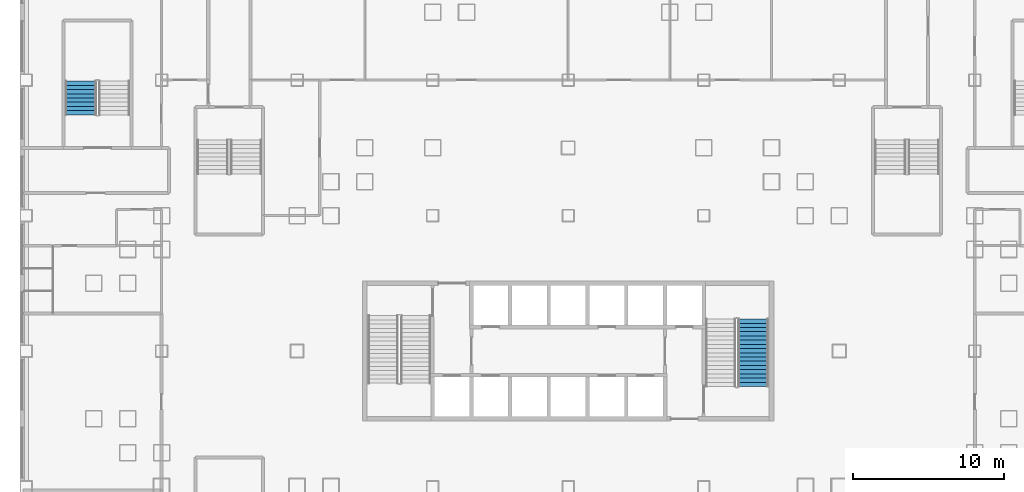
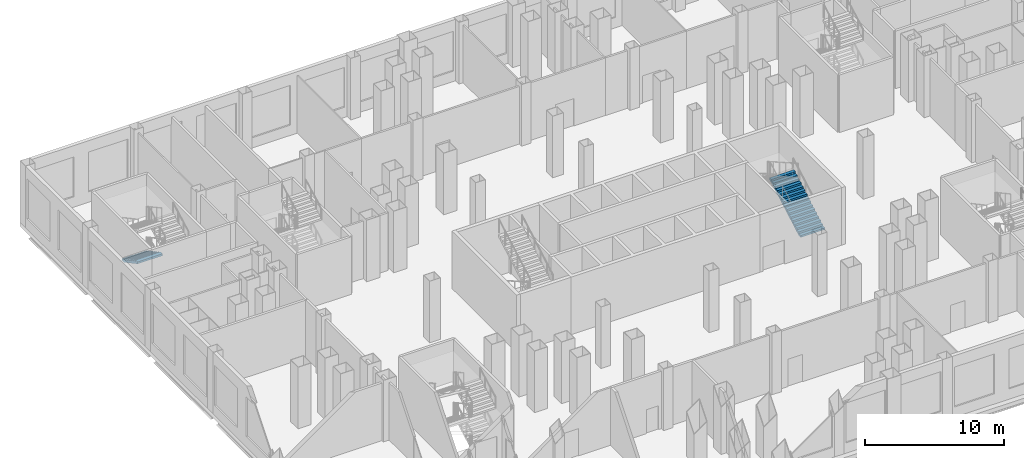
# One storey, part 14 of 26: 2 stair flights, 2 elements without a shape of their own.
"""IFC4 building model written with IfcOpenShell, lengths in metres."""

import ifcopenshell
import ifcopenshell.guid

model = None  # the IFC model being written
_history = None  # IfcOwnerHistory: only IFC2X3 demands one
_inside = {}  # id of a spatial element -> (the spatial element, [elements in it])
_under = {}  # id of a project, library or spatial element -> (it, [spatial elements below it])
_declared = {}  # id of a project -> (the project, [libraries it declares])
_typed = {}  # id of a type object -> (the type object, [elements of that type])
_made_of = {}  # id of a material, layer set ... -> (it, [elements and type objects made of it])


def new_model(schema):
    """Start an empty IFC model of exactly this schema.

    Asked for "IFC4X3", IfcOpenShell would pick the latest addendum, in which some entities
    have other attributes; the version numbers below select the first issue.
    IFC2X3 requires an IfcOwnerHistory on every rooted entity: one is made here for all.
    """
    global model, _history
    if schema == "IFC4X3":
        model = ifcopenshell.file(schema_version=(4, 3, 0, 0))
    else:
        model = ifcopenshell.file(schema=schema)
    _inside.clear()
    _under.clear()
    _declared.clear()
    _typed.clear()
    _made_of.clear()
    _history = None
    if model.schema == "IFC2X3":
        org = make("IfcOrganization", Name="unknown")
        user = make(
            "IfcPersonAndOrganization",
            ThePerson=make("IfcPerson", FamilyName="unknown"),
            TheOrganization=org,
        )
        app = make(
            "IfcApplication",
            ApplicationDeveloper=org,
            Version="unknown",
            ApplicationFullName="unknown",
            ApplicationIdentifier="unknown",
        )
        _history = make(
            "IfcOwnerHistory",
            OwningUser=user,
            OwningApplication=app,
            ChangeAction="ADDED",
            CreationDate=0,
        )
    return model


def make(cls, **values):
    """One entity of the class cls with the attributes given. An attribute that is None is left unset."""
    return model.create_entity(
        cls, **{name: value for name, value in values.items() if value is not None}
    )


def rooted(cls, **values):
    """An entity with a GlobalId (a new one), such as an element, a storey or a relation."""
    return make(cls, GlobalId=ifcopenshell.guid.new(), OwnerHistory=_history, **values)


def si_unit(unit_type, name, prefix=None):
    """IfcSIUnit, for example si_unit("LENGTHUNIT", "METRE", prefix="MILLI")."""
    return make("IfcSIUnit", UnitType=unit_type, Prefix=prefix, Name=name)


def assignment(units):
    """IfcUnitAssignment: the units of a project."""
    return None if units is None else make("IfcUnitAssignment", Units=units)


def point(xyz):
    """IfcCartesianPoint."""
    return None if xyz is None else make("IfcCartesianPoint", Coordinates=xyz)


def direction(xyz):
    """IfcDirection."""
    return None if xyz is None else make("IfcDirection", DirectionRatios=xyz)


def frame(location, z_axis=None, x_axis=None):
    """IfcAxis2Placement3D, a coordinate frame: its origin and axes. An axis left out is left unset."""
    return make(
        "IfcAxis2Placement3D",
        Location=point(location),
        Axis=direction(z_axis),
        RefDirection=direction(x_axis),
    )


def origin():
    """The frame at (0, 0, 0) with its axes left unset."""
    return frame((0.0, 0.0, 0.0))


def place(relative_to, where):
    """IfcLocalPlacement: puts the frame where relative to a parent placement (None: the world)."""
    return make(
        "IfcLocalPlacement", PlacementRelTo=relative_to, RelativePlacement=where
    )


def context(
    kind, dimensions, precision=None, world=None, true_north=None, identifier=None
):
    """IfcGeometricRepresentationContext, for example the 3D "Model" context."""
    return make(
        "IfcGeometricRepresentationContext",
        ContextIdentifier=identifier,
        ContextType=kind,
        CoordinateSpaceDimension=dimensions,
        Precision=precision,
        WorldCoordinateSystem=world,
        TrueNorth=true_north,
    )


def subcontext(parent, identifier, kind, view, scale=None):
    """IfcGeometricRepresentationSubContext, for example "Body" below "Model"."""
    return make(
        "IfcGeometricRepresentationSubContext",
        ContextIdentifier=identifier,
        ContextType=kind,
        ParentContext=parent,
        TargetScale=scale,
        TargetView=view,
    )


def project(units=None, contexts=None):
    """IfcProject with its units and contexts."""
    return rooted(
        "IfcProject",
        Name="project",
        RepresentationContexts=contexts,
        UnitsInContext=assignment(units),
    )


def spatial(cls, under=None, at=None, **own):
    """A site, building, storey or space (cls), placed at a placement, below another one or the project."""
    s = rooted(cls, ObjectPlacement=at, **own)
    if under is not None:
        _under.setdefault(under.id(), (under, []))[1].append(s)
    return s


def point_list(points):
    """IfcCartesianPointList2D or 3D."""
    cls = (
        "IfcCartesianPointList2D" if len(points[0]) == 2 else "IfcCartesianPointList3D"
    )
    return make(cls, CoordList=points)


def polygons(points, faces, closed=None, point_numbers=None):
    """IfcPolygonalFaceSet: a face is its outer loop, then its inner loops; points numbered from 1."""
    made = []
    for loops in faces:
        if len(loops) == 1:
            made.append(make("IfcIndexedPolygonalFace", CoordIndex=loops[0]))
        else:
            made.append(
                make(
                    "IfcIndexedPolygonalFaceWithVoids",
                    CoordIndex=loops[0],
                    InnerCoordIndices=loops[1:],
                )
            )
    return make(
        "IfcPolygonalFaceSet",
        Coordinates=point_list(points),
        Closed=closed,
        Faces=made,
        PnIndex=point_numbers,
    )


def shape(context_of_items, identifier, shape_type, items):
    """IfcShapeRepresentation: the items that make up one representation, for example the "Body"."""
    return make(
        "IfcShapeRepresentation",
        ContextOfItems=context_of_items,
        RepresentationIdentifier=identifier,
        RepresentationType=shape_type,
        Items=items,
    )


def material(Name=None, Category=None):
    """IfcMaterial."""
    return make("IfcMaterial", Name=Name, Category=Category)


def made_of(thing, what):
    """Note that an element or type object is made of a material, layer set ...; save() writes the relation."""
    if what is not None:
        _made_of.setdefault(what.id(), (what, []))[1].append(thing)
    return thing


def type_object(cls, material=None, **own):
    """A type object (cls), such as IfcWallType, which elements share."""
    return made_of(rooted(cls, **own), material)


def element(
    cls,
    number,
    at=None,
    inside=None,
    cuts=None,
    type_object=None,
    material=None,
    context=None,
    identifier="Body",
    shape_type=None,
    held_by="IfcProductDefinitionShape",
    body=None,
    shapes=None,
    **own,
):
    """One element of the class cls, such as IfcWall. Its Tag is "e" and its number.

    at: its placement. inside: the storey or other place that contains it. cuts: it is an
    opening in that element (IfcRelVoidsElement). A single representation is given by context,
    identifier, shape_type and body (its items); several are given by shapes. held_by: the class
    of the entity that holds the representations. save() writes the other relations.
    """
    e = rooted(cls, Tag="e%d" % number, ObjectPlacement=at, **own)
    if body is not None:
        shapes = [shape(context, identifier, shape_type, body)]
    if shapes is not None:
        e.Representation = make(held_by, Representations=shapes)
    if inside is not None:
        _inside.setdefault(inside.id(), (inside, []))[1].append(e)
    if cuts is not None:
        rooted(
            "IfcRelVoidsElement", RelatingBuildingElement=cuts, RelatedOpeningElement=e
        )
    if type_object is not None:
        _typed.setdefault(type_object.id(), (type_object, []))[1].append(e)
    return made_of(e, material)


def aggregate(whole, parts):
    """IfcRelAggregates: a whole, such as a stair, and the parts it consists of."""
    return rooted("IfcRelAggregates", RelatingObject=whole, RelatedObjects=parts)


def save(model, path):
    """Write the relations noted so far, then the file.

    IfcRelAggregates (storeys below a building ...), IfcRelContainedInSpatialStructure (elements
    in a storey), IfcRelDefinesByType, IfcRelAssociatesMaterial and IfcRelDeclares: one each for
    every whole, place, type object, material and project.
    """
    for whole, parts in _under.values():
        aggregate(whole, parts)
    for where, things in _inside.values():
        rooted(
            "IfcRelContainedInSpatialStructure",
            RelatedElements=things,
            RelatingStructure=where,
        )
    for kind, things in _typed.values():
        rooted("IfcRelDefinesByType", RelatedObjects=things, RelatingType=kind)
    for what, things in _made_of.values():
        rooted("IfcRelAssociatesMaterial", RelatedObjects=things, RelatingMaterial=what)
    for by, libraries in _declared.values():
        rooted("IfcRelDeclares", RelatingContext=by, RelatedDefinitions=libraries)
    model.write(path)


model = new_model("IFC4")

# Units and contexts
model_context = context("Model", 3, precision=1e-05, world=origin(), true_north=direction((0.0, 1.0)))
body_context = subcontext(model_context, "Body", "Model", "MODEL_VIEW")
ifc_project = project(units=[si_unit("LENGTHUNIT", "METRE"), si_unit("AREAUNIT", "SQUARE_METRE"), si_unit("VOLUMEUNIT", "CUBIC_METRE"), si_unit("PLANEANGLEUNIT", "RADIAN"), si_unit("MASSUNIT", "GRAM", prefix="KILO")], contexts=[model_context])

# Site, building, storey
site_placement = place(None, origin())
site = spatial("IfcSite", under=ifc_project, at=site_placement, CompositionType="ELEMENT")
building_placement = place(site_placement, origin())
building = spatial("IfcBuilding", under=site, at=building_placement, Name="Caravel Reach Hotel and Residences", CompositionType="ELEMENT")
storey_placement = place(building_placement, frame((0.0, 0.0, 12.0)))
storey = spatial("IfcBuildingStorey", under=building, at=storey_placement, Name="L02", CompositionType="ELEMENT", Elevation=12.0)

# Stair, stair flight
ifc_material_1 = material(Name="Concrete C40", Category="concrete")
stair_type = type_object("IfcStairType", Name="Core stair", PredefinedType="HALF_TURN_STAIR", material=ifc_material_1)
stair_1_placement = place(storey_placement, origin())
stair_1 = element("IfcStair", 1, at=stair_1_placement, inside=storey, type_object=stair_type, Name="L02 Exit stair B", PredefinedType="HALF_TURN_STAIR")
ifc_material_2 = material(Name="Concrete C40", Category="concrete")
stair_flight_type = type_object("IfcStairFlightType", Name="Core stair flight", PredefinedType="STRAIGHT", material=ifc_material_2)
stair_flight_1_placement = place(storey_placement, frame((43.77490234375, 24.64990234375, 0.0), z_axis=(0.0, 0.0, 1.0), x_axis=(0.0, 1.0, 0.0)))
stair_flight_1 = element("IfcStairFlight", 2, at=stair_flight_1_placement, type_object=stair_flight_type, Name="ST-B flight 1", NumberOfRisers=17, NumberOfTreads=16, PredefinedType="STRAIGHT", RiserHeight=0.158823529, TreadLength=0.28, context=body_context, shape_type="Tessellation", body=[
    polygons([(0.30382651472380307, 1.0, 0.0), (0.30382651472380307, 0.6666666666666667, 0.0), (0.30382651472380307, 0.33333333333333337, 0.0), (0.30382651472380307, 0.0, 0.0), (0.30382651472380307, -0.33333333333333326, 0.0), (0.30382651472380307, -0.6666666666666667, 0.0), (0.30382651472380307, -1.0, 0.0), (4.481000000000001, 1.0, 2.3688378951706968), (4.481000000000001, 0.6666666666666667, 2.3688378951706968), (4.481000000000001, 0.33333333333333337, 2.3688378951706968), (4.481000000000001, 0.0, 2.3688378951706968), (4.481000000000001, -0.33333333333333326, 2.3688378951706968), (4.481000000000001, -0.6666666666666667, 2.3688378951706968), (4.481000000000001, -1.0, 2.3688378951706968), (4.481000000000001, 1.0, 2.541176464), (4.481000000000001, 0.6666666666666667, 2.541176464), (4.481000000000001, 0.33333333333333337, 2.541176464), (4.481000000000001, 0.0, 2.541176464), (4.481000000000001, -0.33333333333333326, 2.541176464), (4.481000000000001, -0.6666666666666667, 2.541176464), (4.481000000000001, -1.0, 2.541176464), (4.2, 1.0, 2.541176464), (4.2, 0.6666666666666667, 2.541176464), (4.2, 0.33333333333333337, 2.541176464), (4.2, 0.0, 2.541176464), (4.2, -0.33333333333333326, 2.541176464), (4.2, -0.6666666666666667, 2.541176464), (4.2, -1.0, 2.541176464), (4.2, 1.0, 2.3823529349999997), (4.2, 0.6666666666666667, 2.3823529349999997), (4.2, 0.33333333333333337, 2.3823529349999997), (4.2, 0.0, 2.3823529349999997), (4.2, -0.33333333333333326, 2.3823529349999997), (4.2, -0.6666666666666667, 2.3823529349999997), (4.2, -1.0, 2.3823529349999997), (3.9200000000000004, 1.0, 2.3823529349999997), (3.9200000000000004, 0.6666666666666667, 2.3823529349999997), (3.9200000000000004, 0.33333333333333337, 2.3823529349999997), (3.9200000000000004, 0.0, 2.3823529349999997), (3.9200000000000004, -0.33333333333333326, 2.3823529349999997), (3.9200000000000004, -0.6666666666666667, 2.3823529349999997), (3.9200000000000004, -1.0, 2.3823529349999997), (3.9200000000000004, 1.0, 2.223529406), (3.9200000000000004, 0.6666666666666667, 2.223529406), (3.9200000000000004, 0.33333333333333337, 2.223529406), (3.9200000000000004, 0.0, 2.223529406), (3.9200000000000004, -0.33333333333333326, 2.223529406), (3.9200000000000004, -0.6666666666666667, 2.223529406), (3.9200000000000004, -1.0, 2.223529406), (3.6400000000000006, 1.0, 2.223529406), (3.6400000000000006, 0.6666666666666667, 2.223529406), (3.6400000000000006, 0.33333333333333337, 2.223529406), (3.6400000000000006, 0.0, 2.223529406), (3.6400000000000006, -0.33333333333333326, 2.223529406), (3.6400000000000006, -0.6666666666666667, 2.223529406), (3.6400000000000006, -1.0, 2.223529406), (3.6400000000000006, 1.0, 2.0647058769999997), (3.6400000000000006, 0.6666666666666667, 2.0647058769999997), (3.6400000000000006, 0.33333333333333337, 2.0647058769999997), (3.6400000000000006, 0.0, 2.0647058769999997), (3.6400000000000006, -0.33333333333333326, 2.0647058769999997), (3.6400000000000006, -0.6666666666666667, 2.0647058769999997), (3.6400000000000006, -1.0, 2.0647058769999997), (3.3600000000000003, 1.0, 2.0647058769999997), (3.3600000000000003, 0.6666666666666667, 2.0647058769999997), (3.3600000000000003, 0.33333333333333337, 2.0647058769999997), (3.3600000000000003, 0.0, 2.0647058769999997), (3.3600000000000003, -0.33333333333333326, 2.0647058769999997), (3.3600000000000003, -0.6666666666666667, 2.0647058769999997), (3.3600000000000003, -1.0, 2.0647058769999997), (3.3600000000000003, 1.0, 1.905882348), (3.3600000000000003, 0.6666666666666667, 1.905882348), (3.3600000000000003, 0.33333333333333337, 1.905882348), (3.3600000000000003, 0.0, 1.905882348), (3.3600000000000003, -0.33333333333333326, 1.905882348), (3.3600000000000003, -0.6666666666666667, 1.905882348), (3.3600000000000003, -1.0, 1.905882348), (3.08, 1.0, 1.905882348), (3.08, 0.6666666666666667, 1.905882348), (3.08, 0.33333333333333337, 1.905882348), (3.08, 0.0, 1.905882348), (3.08, -0.33333333333333326, 1.905882348), (3.08, -0.6666666666666667, 1.905882348), (3.08, -1.0, 1.905882348), (3.08, 1.0, 1.7470588189999998), (3.08, 0.6666666666666667, 1.7470588189999998), (3.08, 0.33333333333333337, 1.7470588189999998), (3.08, 0.0, 1.7470588189999998), (3.08, -0.33333333333333326, 1.7470588189999998), (3.08, -0.6666666666666667, 1.7470588189999998), (3.08, -1.0, 1.7470588189999998), (2.8000000000000003, 1.0, 1.7470588189999998), (2.8000000000000003, 0.6666666666666667, 1.7470588189999998), (2.8000000000000003, 0.33333333333333337, 1.7470588189999998), (2.8000000000000003, 0.0, 1.7470588189999998), (2.8000000000000003, -0.33333333333333326, 1.7470588189999998), (2.8000000000000003, -0.6666666666666667, 1.7470588189999998), (2.8000000000000003, -1.0, 1.7470588189999998), (2.8000000000000003, 1.0, 1.5882352899999999), (2.8000000000000003, 0.6666666666666667, 1.5882352899999999), (2.8000000000000003, 0.33333333333333337, 1.5882352899999999), (2.8000000000000003, 0.0, 1.5882352899999999), (2.8000000000000003, -0.33333333333333326, 1.5882352899999999), (2.8000000000000003, -0.6666666666666667, 1.5882352899999999), (2.8000000000000003, -1.0, 1.5882352899999999), (2.5200000000000005, 1.0, 1.5882352899999999), (2.5200000000000005, 0.6666666666666667, 1.5882352899999999), (2.5200000000000005, 0.33333333333333337, 1.5882352899999999), (2.5200000000000005, 0.0, 1.5882352899999999), (2.5200000000000005, -0.33333333333333326, 1.5882352899999999), (2.5200000000000005, -0.6666666666666667, 1.5882352899999999), (2.5200000000000005, -1.0, 1.5882352899999999), (2.5200000000000005, 1.0, 1.429411761), (2.5200000000000005, 0.6666666666666667, 1.429411761), (2.5200000000000005, 0.33333333333333337, 1.429411761), (2.5200000000000005, 0.0, 1.429411761), (2.5200000000000005, -0.33333333333333326, 1.429411761), (2.5200000000000005, -0.6666666666666667, 1.429411761), (2.5200000000000005, -1.0, 1.429411761), (2.24, 1.0, 1.429411761), (2.24, 0.6666666666666667, 1.429411761), (2.24, 0.33333333333333337, 1.429411761), (2.24, 0.0, 1.429411761), (2.24, -0.33333333333333326, 1.429411761), (2.24, -0.6666666666666667, 1.429411761), (2.24, -1.0, 1.429411761), (2.24, 1.0, 1.270588232), (2.24, 0.6666666666666667, 1.270588232), (2.24, 0.33333333333333337, 1.270588232), (2.24, 0.0, 1.270588232), (2.24, -0.33333333333333326, 1.270588232), (2.24, -0.6666666666666667, 1.270588232), (2.24, -1.0, 1.270588232), (1.9600000000000002, 1.0, 1.270588232), (1.9600000000000002, 0.6666666666666667, 1.270588232), (1.9600000000000002, 0.33333333333333337, 1.270588232), (1.9600000000000002, 0.0, 1.270588232), (1.9600000000000002, -0.33333333333333326, 1.270588232), (1.9600000000000002, -0.6666666666666667, 1.270588232), (1.9600000000000002, -1.0, 1.270588232), (1.9600000000000002, 1.0, 1.111764703), (1.9600000000000002, 0.6666666666666667, 1.111764703), (1.9600000000000002, 0.33333333333333337, 1.111764703), (1.9600000000000002, 0.0, 1.111764703), (1.9600000000000002, -0.33333333333333326, 1.111764703), (1.9600000000000002, -0.6666666666666667, 1.111764703), (1.9600000000000002, -1.0, 1.111764703), (1.6800000000000002, 1.0, 1.111764703), (1.6800000000000002, 0.6666666666666667, 1.111764703), (1.6800000000000002, 0.33333333333333337, 1.111764703), (1.6800000000000002, 0.0, 1.111764703), (1.6800000000000002, -0.33333333333333326, 1.111764703), (1.6800000000000002, -0.6666666666666667, 1.111764703), (1.6800000000000002, -1.0, 1.111764703), (1.6800000000000002, 1.0, 0.952941174), (1.6800000000000002, 0.6666666666666667, 0.952941174), (1.6800000000000002, 0.33333333333333337, 0.952941174), (1.6800000000000002, 0.0, 0.952941174), (1.6800000000000002, -0.33333333333333326, 0.952941174), (1.6800000000000002, -0.6666666666666667, 0.952941174), (1.6800000000000002, -1.0, 0.952941174), (1.4000000000000001, 1.0, 0.952941174), (1.4000000000000001, 0.6666666666666667, 0.952941174), (1.4000000000000001, 0.33333333333333337, 0.952941174), (1.4000000000000001, 0.0, 0.952941174), (1.4000000000000001, -0.33333333333333326, 0.952941174), (1.4000000000000001, -0.6666666666666667, 0.952941174), (1.4000000000000001, -1.0, 0.952941174), (1.4000000000000001, 1.0, 0.7941176449999999), (1.4000000000000001, 0.6666666666666667, 0.7941176449999999), (1.4000000000000001, 0.33333333333333337, 0.7941176449999999), (1.4000000000000001, 0.0, 0.7941176449999999), (1.4000000000000001, -0.33333333333333326, 0.7941176449999999), (1.4000000000000001, -0.6666666666666667, 0.7941176449999999), (1.4000000000000001, -1.0, 0.7941176449999999), (1.12, 1.0, 0.7941176449999999), (1.12, 0.6666666666666667, 0.7941176449999999), (1.12, 0.33333333333333337, 0.7941176449999999), (1.12, 0.0, 0.7941176449999999), (1.12, -0.33333333333333326, 0.7941176449999999), (1.12, -0.6666666666666667, 0.7941176449999999), (1.12, -1.0, 0.7941176449999999), (1.12, 1.0, 0.635294116), (1.12, 0.6666666666666667, 0.635294116), (1.12, 0.33333333333333337, 0.635294116), (1.12, 0.0, 0.635294116), (1.12, -0.33333333333333326, 0.635294116), (1.12, -0.6666666666666667, 0.635294116), (1.12, -1.0, 0.635294116), (0.8400000000000001, 1.0, 0.635294116), (0.8400000000000001, 0.6666666666666667, 0.635294116), (0.8400000000000001, 0.33333333333333337, 0.635294116), (0.8400000000000001, 0.0, 0.635294116), (0.8400000000000001, -0.33333333333333326, 0.635294116), (0.8400000000000001, -0.6666666666666667, 0.635294116), (0.8400000000000001, -1.0, 0.635294116), (0.8400000000000001, 1.0, 0.476470587), (0.8400000000000001, 0.6666666666666667, 0.476470587), (0.8400000000000001, 0.33333333333333337, 0.476470587), (0.8400000000000001, 0.0, 0.476470587), (0.8400000000000001, -0.33333333333333326, 0.476470587), (0.8400000000000001, -0.6666666666666667, 0.476470587), (0.8400000000000001, -1.0, 0.476470587), (0.56, 1.0, 0.476470587), (0.56, 0.6666666666666667, 0.476470587), (0.56, 0.33333333333333337, 0.476470587), (0.56, 0.0, 0.476470587), (0.56, -0.33333333333333326, 0.476470587), (0.56, -0.6666666666666667, 0.476470587), (0.56, -1.0, 0.476470587), (0.56, 1.0, 0.317647058), (0.56, 0.6666666666666667, 0.317647058), (0.56, 0.33333333333333337, 0.317647058), (0.56, 0.0, 0.317647058), (0.56, -0.33333333333333326, 0.317647058), (0.56, -0.6666666666666667, 0.317647058), (0.56, -1.0, 0.317647058), (0.28, 1.0, 0.317647058), (0.28, 0.6666666666666667, 0.317647058), (0.28, 0.33333333333333337, 0.317647058), (0.28, 0.0, 0.317647058), (0.28, -0.33333333333333326, 0.317647058), (0.28, -0.6666666666666667, 0.317647058), (0.28, -1.0, 0.317647058), (0.28, 1.0, 0.158823529), (0.28, 0.6666666666666667, 0.158823529), (0.28, 0.33333333333333337, 0.158823529), (0.28, 0.0, 0.158823529), (0.28, -0.33333333333333326, 0.158823529), (0.28, -0.6666666666666667, 0.158823529), (0.28, -1.0, 0.158823529), (-0.001, 1.0, 0.158823529), (-0.001, 0.6666666666666667, 0.158823529), (-0.001, 0.33333333333333337, 0.158823529), (-0.001, 0.0, 0.158823529), (-0.001, -0.33333333333333326, 0.158823529), (-0.001, -0.6666666666666667, 0.158823529), (-0.001, -1.0, 0.158823529), (-0.001, 1.0, 0.0), (-0.001, 0.6666666666666667, 0.0), (-0.001, 0.33333333333333337, 0.0), (-0.001, 0.0, 0.0), (-0.001, -0.33333333333333326, 0.0), (-0.001, -0.6666666666666667, 0.0), (-0.001, -1.0, 0.0)], [[[239, 232, 225, 218, 211, 204, 197, 190, 183, 176, 169, 162, 155, 148, 141, 134, 127, 120, 113, 106, 99, 92, 85, 78, 71, 64, 57, 50, 43, 36, 29, 22, 15, 8, 1]], [[7, 14, 21, 28, 35, 42, 49, 56, 63, 70, 77, 84, 91, 98, 105, 112, 119, 126, 133, 140, 147, 154, 161, 168, 175, 182, 189, 196, 203, 210, 217, 224, 231, 238, 245]], [[1, 8, 9, 2]], [[2, 9, 10, 3]], [[3, 10, 11, 4]], [[4, 11, 12, 5]], [[5, 12, 13, 6]], [[6, 13, 14, 7]], [[8, 15, 16, 9]], [[9, 16, 17, 10]], [[10, 17, 18, 11]], [[11, 18, 19, 12]], [[12, 19, 20, 13]], [[13, 20, 21, 14]], [[15, 22, 23, 16]], [[16, 23, 24, 17]], [[17, 24, 25, 18]], [[18, 25, 26, 19]], [[19, 26, 27, 20]], [[20, 27, 28, 21]], [[22, 29, 30, 23]], [[23, 30, 31, 24]], [[24, 31, 32, 25]], [[25, 32, 33, 26]], [[26, 33, 34, 27]], [[27, 34, 35, 28]], [[29, 36, 37, 30]], [[30, 37, 38, 31]], [[31, 38, 39, 32]], [[32, 39, 40, 33]], [[33, 40, 41, 34]], [[34, 41, 42, 35]], [[36, 43, 44, 37]], [[37, 44, 45, 38]], [[38, 45, 46, 39]], [[39, 46, 47, 40]], [[40, 47, 48, 41]], [[41, 48, 49, 42]], [[43, 50, 51, 44]], [[44, 51, 52, 45]], [[45, 52, 53, 46]], [[46, 53, 54, 47]], [[47, 54, 55, 48]], [[48, 55, 56, 49]], [[50, 57, 58, 51]], [[51, 58, 59, 52]], [[52, 59, 60, 53]], [[53, 60, 61, 54]], [[54, 61, 62, 55]], [[55, 62, 63, 56]], [[57, 64, 65, 58]], [[58, 65, 66, 59]], [[59, 66, 67, 60]], [[60, 67, 68, 61]], [[61, 68, 69, 62]], [[62, 69, 70, 63]], [[64, 71, 72, 65]], [[65, 72, 73, 66]], [[66, 73, 74, 67]], [[67, 74, 75, 68]], [[68, 75, 76, 69]], [[69, 76, 77, 70]], [[71, 78, 79, 72]], [[72, 79, 80, 73]], [[73, 80, 81, 74]], [[74, 81, 82, 75]], [[75, 82, 83, 76]], [[76, 83, 84, 77]], [[78, 85, 86, 79]], [[79, 86, 87, 80]], [[80, 87, 88, 81]], [[81, 88, 89, 82]], [[82, 89, 90, 83]], [[83, 90, 91, 84]], [[85, 92, 93, 86]], [[86, 93, 94, 87]], [[87, 94, 95, 88]], [[88, 95, 96, 89]], [[89, 96, 97, 90]], [[90, 97, 98, 91]], [[92, 99, 100, 93]], [[93, 100, 101, 94]], [[94, 101, 102, 95]], [[95, 102, 103, 96]], [[96, 103, 104, 97]], [[97, 104, 105, 98]], [[99, 106, 107, 100]], [[100, 107, 108, 101]], [[101, 108, 109, 102]], [[102, 109, 110, 103]], [[103, 110, 111, 104]], [[104, 111, 112, 105]], [[106, 113, 114, 107]], [[107, 114, 115, 108]], [[108, 115, 116, 109]], [[109, 116, 117, 110]], [[110, 117, 118, 111]], [[111, 118, 119, 112]], [[113, 120, 121, 114]], [[114, 121, 122, 115]], [[115, 122, 123, 116]], [[116, 123, 124, 117]], [[117, 124, 125, 118]], [[118, 125, 126, 119]], [[120, 127, 128, 121]], [[121, 128, 129, 122]], [[122, 129, 130, 123]], [[123, 130, 131, 124]], [[124, 131, 132, 125]], [[125, 132, 133, 126]], [[127, 134, 135, 128]], [[128, 135, 136, 129]], [[129, 136, 137, 130]], [[130, 137, 138, 131]], [[131, 138, 139, 132]], [[132, 139, 140, 133]], [[134, 141, 142, 135]], [[135, 142, 143, 136]], [[136, 143, 144, 137]], [[137, 144, 145, 138]], [[138, 145, 146, 139]], [[139, 146, 147, 140]], [[141, 148, 149, 142]], [[142, 149, 150, 143]], [[143, 150, 151, 144]], [[144, 151, 152, 145]], [[145, 152, 153, 146]], [[146, 153, 154, 147]], [[148, 155, 156, 149]], [[149, 156, 157, 150]], [[150, 157, 158, 151]], [[151, 158, 159, 152]], [[152, 159, 160, 153]], [[153, 160, 161, 154]], [[155, 162, 163, 156]], [[156, 163, 164, 157]], [[157, 164, 165, 158]], [[158, 165, 166, 159]], [[159, 166, 167, 160]], [[160, 167, 168, 161]], [[162, 169, 170, 163]], [[163, 170, 171, 164]], [[164, 171, 172, 165]], [[165, 172, 173, 166]], [[166, 173, 174, 167]], [[167, 174, 175, 168]], [[169, 176, 177, 170]], [[170, 177, 178, 171]], [[171, 178, 179, 172]], [[172, 179, 180, 173]], [[173, 180, 181, 174]], [[174, 181, 182, 175]], [[176, 183, 184, 177]], [[177, 184, 185, 178]], [[178, 185, 186, 179]], [[179, 186, 187, 180]], [[180, 187, 188, 181]], [[181, 188, 189, 182]], [[183, 190, 191, 184]], [[184, 191, 192, 185]], [[185, 192, 193, 186]], [[186, 193, 194, 187]], [[187, 194, 195, 188]], [[188, 195, 196, 189]], [[190, 197, 198, 191]], [[191, 198, 199, 192]], [[192, 199, 200, 193]], [[193, 200, 201, 194]], [[194, 201, 202, 195]], [[195, 202, 203, 196]], [[197, 204, 205, 198]], [[198, 205, 206, 199]], [[199, 206, 207, 200]], [[200, 207, 208, 201]], [[201, 208, 209, 202]], [[202, 209, 210, 203]], [[204, 211, 212, 205]], [[205, 212, 213, 206]], [[206, 213, 214, 207]], [[207, 214, 215, 208]], [[208, 215, 216, 209]], [[209, 216, 217, 210]], [[211, 218, 219, 212]], [[212, 219, 220, 213]], [[213, 220, 221, 214]], [[214, 221, 222, 215]], [[215, 222, 223, 216]], [[216, 223, 224, 217]], [[218, 225, 226, 219]], [[219, 226, 227, 220]], [[220, 227, 228, 221]], [[221, 228, 229, 222]], [[222, 229, 230, 223]], [[223, 230, 231, 224]], [[225, 232, 233, 226]], [[226, 233, 234, 227]], [[227, 234, 235, 228]], [[228, 235, 236, 229]], [[229, 236, 237, 230]], [[230, 237, 238, 231]], [[232, 239, 240, 233]], [[233, 240, 241, 234]], [[234, 241, 242, 235]], [[235, 242, 243, 236]], [[236, 243, 244, 237]], [[237, 244, 245, 238]], [[239, 1, 2, 240]], [[240, 2, 3, 241]], [[241, 3, 4, 242]], [[242, 4, 5, 243]], [[243, 5, 6, 244]], [[244, 6, 7, 245]]], closed=True),
])
aggregate(stair_1, [stair_flight_1])

stair_2_placement = place(storey_placement, origin())
stair_2 = element("IfcStair", 3, at=stair_2_placement, inside=storey, type_object=stair_type, Name="L02 Exit stair P5", PredefinedType="HALF_TURN_STAIR")
stair_flight_2_placement = place(storey_placement, frame((-0.860107421875, 44.929931640625, 1.35009765625), z_axis=(0.0, 0.0, 1.0), x_axis=(0.0, -1.0, 0.0)))
stair_flight_2 = element("IfcStairFlight", 4, at=stair_flight_2_placement, type_object=stair_flight_type, Name="ST-P5 flight 2", NumberOfRisers=9, NumberOfTreads=8, PredefinedType="STRAIGHT", RiserHeight=0.15, TreadLength=0.28, context=body_context, shape_type="Tessellation", body=[
    polygons([(0.3174408016601864, 1.0350341796875, 0.0), (0.3174408016601864, 0.6900227864583333, 0.0), (0.3174408016601864, 0.34501139322916663, 0.0), (0.3174408016601864, 0.0, 0.0), (0.3174408016601864, -0.34501139322916674, 0.0), (0.3174408016601864, -0.6900227864583333, 0.0), (0.3174408016601864, -1.0350341796875, 0.0), (2.241, 1.0350341796875, 1.029942427682043), (2.241, 0.6900227864583333, 1.029942427682043), (2.241, 0.34501139322916663, 1.029942427682043), (2.241, 0.0, 1.029942427682043), (2.241, -0.34501139322916674, 1.029942427682043), (2.241, -0.6900227864583333, 1.029942427682043), (2.241, -1.0350341796875, 1.029942427682043), (2.241, 1.0350341796875, 1.2), (2.241, 0.6900227864583333, 1.2), (2.241, 0.34501139322916663, 1.2), (2.241, 0.0, 1.2), (2.241, -0.34501139322916674, 1.2), (2.241, -0.6900227864583333, 1.2), (2.241, -1.0350341796875, 1.2), (1.9600000000000002, 1.0350341796875, 1.2), (1.9600000000000002, 0.6900227864583333, 1.2), (1.9600000000000002, 0.34501139322916663, 1.2), (1.9600000000000002, 0.0, 1.2), (1.9600000000000002, -0.34501139322916674, 1.2), (1.9600000000000002, -0.6900227864583333, 1.2), (1.9600000000000002, -1.0350341796875, 1.2), (1.9600000000000002, 1.0350341796875, 1.05), (1.9600000000000002, 0.6900227864583333, 1.05), (1.9600000000000002, 0.34501139322916663, 1.05), (1.9600000000000002, 0.0, 1.05), (1.9600000000000002, -0.34501139322916674, 1.05), (1.9600000000000002, -0.6900227864583333, 1.05), (1.9600000000000002, -1.0350341796875, 1.05), (1.6800000000000002, 1.0350341796875, 1.05), (1.6800000000000002, 0.6900227864583333, 1.05), (1.6800000000000002, 0.34501139322916663, 1.05), (1.6800000000000002, 0.0, 1.05), (1.6800000000000002, -0.34501139322916674, 1.05), (1.6800000000000002, -0.6900227864583333, 1.05), (1.6800000000000002, -1.0350341796875, 1.05), (1.6800000000000002, 1.0350341796875, 0.8999999999999999), (1.6800000000000002, 0.6900227864583333, 0.8999999999999999), (1.6800000000000002, 0.34501139322916663, 0.8999999999999999), (1.6800000000000002, 0.0, 0.8999999999999999), (1.6800000000000002, -0.34501139322916674, 0.8999999999999999), (1.6800000000000002, -0.6900227864583333, 0.8999999999999999), (1.6800000000000002, -1.0350341796875, 0.8999999999999999), (1.4000000000000001, 1.0350341796875, 0.8999999999999999), (1.4000000000000001, 0.6900227864583333, 0.8999999999999999), (1.4000000000000001, 0.34501139322916663, 0.8999999999999999), (1.4000000000000001, 0.0, 0.8999999999999999), (1.4000000000000001, -0.34501139322916674, 0.8999999999999999), (1.4000000000000001, -0.6900227864583333, 0.8999999999999999), (1.4000000000000001, -1.0350341796875, 0.8999999999999999), (1.4000000000000001, 1.0350341796875, 0.75), (1.4000000000000001, 0.6900227864583333, 0.75), (1.4000000000000001, 0.34501139322916663, 0.75), (1.4000000000000001, 0.0, 0.75), (1.4000000000000001, -0.34501139322916674, 0.75), (1.4000000000000001, -0.6900227864583333, 0.75), (1.4000000000000001, -1.0350341796875, 0.75), (1.12, 1.0350341796875, 0.75), (1.12, 0.6900227864583333, 0.75), (1.12, 0.34501139322916663, 0.75), (1.12, 0.0, 0.75), (1.12, -0.34501139322916674, 0.75), (1.12, -0.6900227864583333, 0.75), (1.12, -1.0350341796875, 0.75), (1.12, 1.0350341796875, 0.6), (1.12, 0.6900227864583333, 0.6), (1.12, 0.34501139322916663, 0.6), (1.12, 0.0, 0.6), (1.12, -0.34501139322916674, 0.6), (1.12, -0.6900227864583333, 0.6), (1.12, -1.0350341796875, 0.6), (0.8400000000000001, 1.0350341796875, 0.6), (0.8400000000000001, 0.6900227864583333, 0.6), (0.8400000000000001, 0.34501139322916663, 0.6), (0.8400000000000001, 0.0, 0.6), (0.8400000000000001, -0.34501139322916674, 0.6), (0.8400000000000001, -0.6900227864583333, 0.6), (0.8400000000000001, -1.0350341796875, 0.6), (0.8400000000000001, 1.0350341796875, 0.44999999999999996), (0.8400000000000001, 0.6900227864583333, 0.44999999999999996), (0.8400000000000001, 0.34501139322916663, 0.44999999999999996), (0.8400000000000001, 0.0, 0.44999999999999996), (0.8400000000000001, -0.34501139322916674, 0.44999999999999996), (0.8400000000000001, -0.6900227864583333, 0.44999999999999996), (0.8400000000000001, -1.0350341796875, 0.44999999999999996), (0.56, 1.0350341796875, 0.44999999999999996), (0.56, 0.6900227864583333, 0.44999999999999996), (0.56, 0.34501139322916663, 0.44999999999999996), (0.56, 0.0, 0.44999999999999996), (0.56, -0.34501139322916674, 0.44999999999999996), (0.56, -0.6900227864583333, 0.44999999999999996), (0.56, -1.0350341796875, 0.44999999999999996), (0.56, 1.0350341796875, 0.3), (0.56, 0.6900227864583333, 0.3), (0.56, 0.34501139322916663, 0.3), (0.56, 0.0, 0.3), (0.56, -0.34501139322916674, 0.3), (0.56, -0.6900227864583333, 0.3), (0.56, -1.0350341796875, 0.3), (0.28, 1.0350341796875, 0.3), (0.28, 0.6900227864583333, 0.3), (0.28, 0.34501139322916663, 0.3), (0.28, 0.0, 0.3), (0.28, -0.34501139322916674, 0.3), (0.28, -0.6900227864583333, 0.3), (0.28, -1.0350341796875, 0.3), (0.28, 1.0350341796875, 0.15), (0.28, 0.6900227864583333, 0.15), (0.28, 0.34501139322916663, 0.15), (0.28, 0.0, 0.15), (0.28, -0.34501139322916674, 0.15), (0.28, -0.6900227864583333, 0.15), (0.28, -1.0350341796875, 0.15), (-0.001, 1.0350341796875, 0.15), (-0.001, 0.6900227864583333, 0.15), (-0.001, 0.34501139322916663, 0.15), (-0.001, 0.0, 0.15), (-0.001, -0.34501139322916674, 0.15), (-0.001, -0.6900227864583333, 0.15), (-0.001, -1.0350341796875, 0.15), (-0.001, 1.0350341796875, 0.0), (-0.001, 0.6900227864583333, 0.0), (-0.001, 0.34501139322916663, 0.0), (-0.001, 0.0, 0.0), (-0.001, -0.34501139322916674, 0.0), (-0.001, -0.6900227864583333, 0.0), (-0.001, -1.0350341796875, 0.0)], [[[127, 120, 113, 106, 99, 92, 85, 78, 71, 64, 57, 50, 43, 36, 29, 22, 15, 8, 1]], [[7, 14, 21, 28, 35, 42, 49, 56, 63, 70, 77, 84, 91, 98, 105, 112, 119, 126, 133]], [[1, 8, 9, 2]], [[2, 9, 10, 3]], [[3, 10, 11, 4]], [[4, 11, 12, 5]], [[5, 12, 13, 6]], [[6, 13, 14, 7]], [[8, 15, 16, 9]], [[9, 16, 17, 10]], [[10, 17, 18, 11]], [[11, 18, 19, 12]], [[12, 19, 20, 13]], [[13, 20, 21, 14]], [[15, 22, 23, 16]], [[16, 23, 24, 17]], [[17, 24, 25, 18]], [[18, 25, 26, 19]], [[19, 26, 27, 20]], [[20, 27, 28, 21]], [[22, 29, 30, 23]], [[23, 30, 31, 24]], [[24, 31, 32, 25]], [[25, 32, 33, 26]], [[26, 33, 34, 27]], [[27, 34, 35, 28]], [[29, 36, 37, 30]], [[30, 37, 38, 31]], [[31, 38, 39, 32]], [[32, 39, 40, 33]], [[33, 40, 41, 34]], [[34, 41, 42, 35]], [[36, 43, 44, 37]], [[37, 44, 45, 38]], [[38, 45, 46, 39]], [[39, 46, 47, 40]], [[40, 47, 48, 41]], [[41, 48, 49, 42]], [[43, 50, 51, 44]], [[44, 51, 52, 45]], [[45, 52, 53, 46]], [[46, 53, 54, 47]], [[47, 54, 55, 48]], [[48, 55, 56, 49]], [[50, 57, 58, 51]], [[51, 58, 59, 52]], [[52, 59, 60, 53]], [[53, 60, 61, 54]], [[54, 61, 62, 55]], [[55, 62, 63, 56]], [[57, 64, 65, 58]], [[58, 65, 66, 59]], [[59, 66, 67, 60]], [[60, 67, 68, 61]], [[61, 68, 69, 62]], [[62, 69, 70, 63]], [[64, 71, 72, 65]], [[65, 72, 73, 66]], [[66, 73, 74, 67]], [[67, 74, 75, 68]], [[68, 75, 76, 69]], [[69, 76, 77, 70]], [[71, 78, 79, 72]], [[72, 79, 80, 73]], [[73, 80, 81, 74]], [[74, 81, 82, 75]], [[75, 82, 83, 76]], [[76, 83, 84, 77]], [[78, 85, 86, 79]], [[79, 86, 87, 80]], [[80, 87, 88, 81]], [[81, 88, 89, 82]], [[82, 89, 90, 83]], [[83, 90, 91, 84]], [[85, 92, 93, 86]], [[86, 93, 94, 87]], [[87, 94, 95, 88]], [[88, 95, 96, 89]], [[89, 96, 97, 90]], [[90, 97, 98, 91]], [[92, 99, 100, 93]], [[93, 100, 101, 94]], [[94, 101, 102, 95]], [[95, 102, 103, 96]], [[96, 103, 104, 97]], [[97, 104, 105, 98]], [[99, 106, 107, 100]], [[100, 107, 108, 101]], [[101, 108, 109, 102]], [[102, 109, 110, 103]], [[103, 110, 111, 104]], [[104, 111, 112, 105]], [[106, 113, 114, 107]], [[107, 114, 115, 108]], [[108, 115, 116, 109]], [[109, 116, 117, 110]], [[110, 117, 118, 111]], [[111, 118, 119, 112]], [[113, 120, 121, 114]], [[114, 121, 122, 115]], [[115, 122, 123, 116]], [[116, 123, 124, 117]], [[117, 124, 125, 118]], [[118, 125, 126, 119]], [[120, 127, 128, 121]], [[121, 128, 129, 122]], [[122, 129, 130, 123]], [[123, 130, 131, 124]], [[124, 131, 132, 125]], [[125, 132, 133, 126]], [[127, 1, 2, 128]], [[128, 2, 3, 129]], [[129, 3, 4, 130]], [[130, 4, 5, 131]], [[131, 5, 6, 132]], [[132, 6, 7, 133]]], closed=True),
])
aggregate(stair_2, [stair_flight_2])

save(model, "model.ifc")
